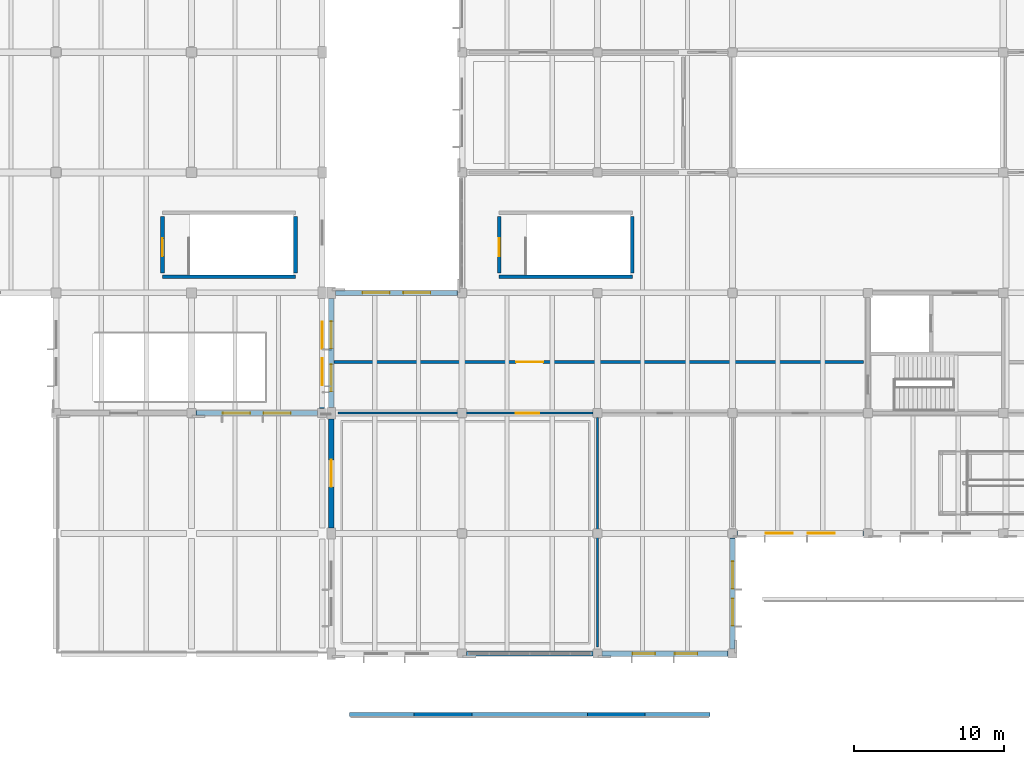
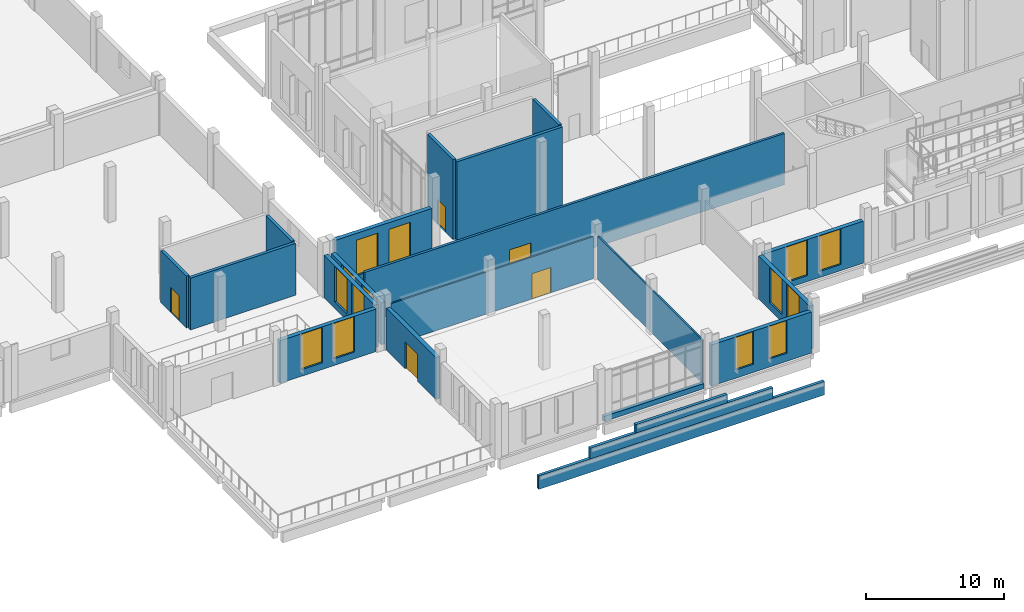
# One storey, part 77 of 110: 21 walls, 14 windows, 5 doors, 19 openings.
"""IFC4 building model written with IfcOpenShell, lengths in metres."""

from ifc_helpers import new_model, si_unit, direction, frame, frame_2d, origin, place, context, subcontext, project, spatial, rectangle, extrude, material, layer, layer_set, type_object, element, fill, save


model = new_model("IFC4")

# Units and contexts
model_context = context("Model", 3, precision=1e-05, world=origin(), true_north=direction((0.0, 1.0)))
body_context = subcontext(model_context, "Body", "Model", "MODEL_VIEW")
ifc_project = project(units=[si_unit("LENGTHUNIT", "METRE"), si_unit("AREAUNIT", "SQUARE_METRE"), si_unit("VOLUMEUNIT", "CUBIC_METRE"), si_unit("PLANEANGLEUNIT", "RADIAN"), si_unit("MASSUNIT", "GRAM", prefix="KILO")], contexts=[model_context])

# Site, building, storey
site_placement = place(None, origin())
site = spatial("IfcSite", under=ifc_project, at=site_placement, CompositionType="ELEMENT")
building_placement = place(site_placement, origin())
building = spatial("IfcBuilding", under=site, at=building_placement, Name="Zacnel Wholesale Market", CompositionType="ELEMENT")
storey_placement = place(building_placement, frame((0.0, 0.0, 6.300048828125)))
storey = spatial("IfcBuildingStorey", under=building, at=storey_placement, Name="L02", CompositionType="ELEMENT", Elevation=6.300048828125)

# Wall, opening, door
ifc_material_1 = material(Name="PIR insulated cold-store panel")
ifc_layer_1 = layer(ifc_material_1, 0.2099609375)
ifc_layer_set_1 = layer_set([ifc_layer_1], Name="PIR insulated cold-store panel")
wall_type_1 = type_object("IfcWallType", Name="WL-COLD-INT210", PredefinedType="STANDARD", material=ifc_layer_set_1)
wall_1_placement = place(storey_placement, frame((72.449951171875, 19.39990234375, 0.0), z_axis=(0.0, 0.0, 1.0), x_axis=(1.0, 0.0, 0.0)))
wall_1 = element("IfcWall", 1, at=wall_1_placement, inside=storey, type_object=wall_type_1, Name="Interior partition L02-0085", PredefinedType="STANDARD", context=body_context, shape_type="SweptSolid", body=[
    extrude(rectangle(XDim=35.25, YDim=0.2099609375, at=frame_2d((17.625, 0.0))), origin(), (0.0, 0.0, 1.0), 4.56005859375),
])
opening_1_placement = place(wall_1_placement, frame((12.14990234375, 0.0, 0.0)))
opening_1 = element("IfcOpeningElement", 2, at=opening_1_placement, cuts=wall_1, Name="Opening FD-03", PredefinedType="OPENING", context=body_context, shape_type="SweptSolid", body=[
    extrude(rectangle(XDim=1.800048828125, YDim=2.300048828125, at=frame_2d((0.89990234375, 1.14990234375))), frame((0.0, 0.114990234375, 0.0), z_axis=(0.0, -1.0, 0.0), x_axis=(1.0, 0.0, 0.0)), (0.0, 0.0, 1.0), 0.22998046875),
])
ifc_material_2 = material(Name="Galvanized steel", Category="steel")
door_type_1 = type_object("IfcDoorType", Name="DR-FIRE-COMP-1800", OperationType="NOTDEFINED", PredefinedType="DOOR", material=ifc_material_2)
door_1_placement = place(opening_1_placement, origin())
door_1 = element("IfcDoor", 3, at=door_1_placement, inside=storey, type_object=door_type_1, Name="Interior door L02-0067", OperationType="SINGLE_SWING_RIGHT", OverallHeight=2.300048828125, OverallWidth=1.800048828125, PredefinedType="DOOR", context=body_context, shape_type="SweptSolid", body=[
    extrude(rectangle(XDim=1.800048828125, YDim=2.300048828125, at=frame_2d((0.89990234375, 1.14990234375))), frame((0.0, 0.02490234375, 0.0), z_axis=(0.0, -1.0, 0.0), x_axis=(1.0, 0.0, 0.0)), (0.0, 0.0, 1.0), 0.050048828125),
])
fill(opening_1, door_1)

# Wall
ifc_material_3 = material(Name="Concrete C40/50", Category="concrete")
ifc_layer_2 = layer(ifc_material_3, 0.25)
ifc_layer_set_2 = layer_set([ifc_layer_2], Name="Concrete C40/50")
wall_type_2 = type_object("IfcWallType", Name="WL-CORE-SW250", PredefinedType="SOLIDWALL", material=ifc_layer_set_2)
wall_2_placement = place(storey_placement, frame((83.47509765625, 25.074951171875, 0.0), z_axis=(0.0, 0.0, 1.0), x_axis=(1.0, 0.0, 0.0)))
element("IfcWall", 4, at=wall_2_placement, inside=storey, type_object=wall_type_2, Name="Stair ST-18 south enclosure wall L02", PredefinedType="SOLIDWALL", context=body_context, shape_type="SweptSolid", body=[
    extrude(rectangle(XDim=8.849853515625, YDim=0.25, at=frame_2d((4.4248046875, 0.0))), origin(), (0.0, 0.0, 1.0), 7.08984375),
])

# Wall, opening, door
wall_3_placement = place(storey_placement, frame((83.47509765625, 25.324951171875, 0.0), z_axis=(0.0, 0.0, 1.0), x_axis=(0.0, 1.0, 0.0)))
wall_3 = element("IfcWall", 5, at=wall_3_placement, inside=storey, type_object=wall_type_2, Name="Stair ST-18 west enclosure wall L02", PredefinedType="SOLIDWALL", context=body_context, shape_type="SweptSolid", body=[
    extrude(rectangle(XDim=3.75, YDim=0.25, at=frame_2d((1.875, 0.0))), origin(), (0.0, 0.0, 1.0), 7.08984375),
])
opening_2_placement = place(wall_3_placement, frame((1.10009765625, 0.0, 0.0)))
opening_2 = element("IfcOpeningElement", 6, at=opening_2_placement, cuts=wall_3, Name="Opening FD-01", PredefinedType="OPENING", context=body_context, shape_type="SweptSolid", body=[
    extrude(rectangle(XDim=1.199951171875, YDim=2.199951171875, at=frame_2d((0.60009765625, 1.10009765625))), frame((0.0, 0.135009765625, 0.0), z_axis=(0.0, -1.0, 0.0), x_axis=(1.0, 0.0, 0.0)), (0.0, 0.0, 1.0), 0.27001953125),
])
ifc_material_4 = material(Name="Galvanized steel", Category="steel")
door_type_2 = type_object("IfcDoorType", Name="DR-FIRE-STAIR-1200", OperationType="NOTDEFINED", PredefinedType="DOOR", material=ifc_material_4)
door_2_placement = place(opening_2_placement, origin())
door_2 = element("IfcDoor", 7, at=door_2_placement, inside=storey, type_object=door_type_2, Name="Stair ST-18 fire door L02", OperationType="SINGLE_SWING_LEFT", OverallHeight=2.199951171875, OverallWidth=1.199951171875, PredefinedType="DOOR", context=body_context, shape_type="SweptSolid", body=[
    extrude(rectangle(XDim=1.199951171875, YDim=2.199951171875, at=frame_2d((0.60009765625, 1.10009765625))), frame((0.0, 0.02490234375, 0.0), z_axis=(0.0, -1.0, 0.0), x_axis=(1.0, 0.0, 0.0)), (0.0, 0.0, 1.0), 0.050048828125),
])
fill(opening_2, door_2)

# Walls
wall_4_placement = place(storey_placement, frame((92.324951171875, 25.324951171875, 0.0), z_axis=(0.0, 0.0, 1.0), x_axis=(0.0, 1.0, 0.0)))
element("IfcWall", 8, at=wall_4_placement, inside=storey, type_object=wall_type_2, Name="Stair ST-18 east enclosure wall L02", PredefinedType="SOLIDWALL", context=body_context, shape_type="SweptSolid", body=[
    extrude(rectangle(XDim=3.75, YDim=0.25, at=frame_2d((1.875, 0.0))), origin(), (0.0, 0.0, 1.0), 7.08984375),
])
wall_5_placement = place(storey_placement, frame((61.074951171875, 25.074951171875, 0.0), z_axis=(0.0, 0.0, 1.0), x_axis=(1.0, 0.0, 0.0)))
element("IfcWall", 9, at=wall_5_placement, inside=storey, type_object=wall_type_2, Name="Stair ST-23 south enclosure wall L02", PredefinedType="SOLIDWALL", context=body_context, shape_type="SweptSolid", body=[
    extrude(rectangle(XDim=8.85009765625, YDim=0.25, at=frame_2d((4.425048828125, 0.0))), origin(), (0.0, 0.0, 1.0), 4.599853515625),
])

# Wall, opening, door
wall_6_placement = place(storey_placement, frame((61.074951171875, 25.324951171875, 0.0), z_axis=(0.0, 0.0, 1.0), x_axis=(0.0, 1.0, 0.0)))
wall_6 = element("IfcWall", 10, at=wall_6_placement, inside=storey, type_object=wall_type_2, Name="Stair ST-23 west enclosure wall L02", PredefinedType="SOLIDWALL", context=body_context, shape_type="SweptSolid", body=[
    extrude(rectangle(XDim=3.75, YDim=0.25, at=frame_2d((1.875, 0.0))), origin(), (0.0, 0.0, 1.0), 4.599853515625),
])
opening_3_placement = place(wall_6_placement, frame((1.10009765625, 0.0, 0.0)))
opening_3 = element("IfcOpeningElement", 11, at=opening_3_placement, cuts=wall_6, Name="Opening FD-01", PredefinedType="OPENING", context=body_context, shape_type="SweptSolid", body=[
    extrude(rectangle(XDim=1.199951171875, YDim=2.199951171875, at=frame_2d((0.60009765625, 1.10009765625))), frame((0.0, 0.135009765625, 0.0), z_axis=(0.0, -1.0, 0.0), x_axis=(1.0, 0.0, 0.0)), (0.0, 0.0, 1.0), 0.27001953125),
])
door_3_placement = place(opening_3_placement, origin())
door_3 = element("IfcDoor", 12, at=door_3_placement, inside=storey, type_object=door_type_2, Name="Stair ST-23 fire door L02", OperationType="SINGLE_SWING_RIGHT", OverallHeight=2.199951171875, OverallWidth=1.199951171875, PredefinedType="DOOR", context=body_context, shape_type="SweptSolid", body=[
    extrude(rectangle(XDim=1.199951171875, YDim=2.199951171875, at=frame_2d((0.60009765625, 1.10009765625))), frame((0.0, 0.02490234375, 0.0), z_axis=(0.0, -1.0, 0.0), x_axis=(1.0, 0.0, 0.0)), (0.0, 0.0, 1.0), 0.050048828125),
])
fill(opening_3, door_3)

# Walls
wall_7_placement = place(storey_placement, frame((69.925048828125, 25.324951171875, 0.0), z_axis=(0.0, 0.0, 1.0), x_axis=(0.0, 1.0, 0.0)))
element("IfcWall", 13, at=wall_7_placement, inside=storey, type_object=wall_type_2, Name="Stair ST-23 east enclosure wall L02", PredefinedType="SOLIDWALL", context=body_context, shape_type="SweptSolid", body=[
    extrude(rectangle(XDim=3.75, YDim=0.25, at=frame_2d((1.875, 0.0))), origin(), (0.0, 0.0, 1.0), 4.599853515625),
])
ifc_material_5 = material(Name="Precast concrete C40/50 (Cancun limestone aggregate)", Category="masonry")
ifc_layer_3 = layer(ifc_material_5, 0.300048828125)
ifc_layer_set_3 = layer_set([ifc_layer_3], Name="Precast concrete C40/50 (Cancun limestone aggregate)")
wall_type_3 = type_object("IfcWallType", Name="WL-EXT-LIME-300", PredefinedType="SOLIDWALL", material=ifc_layer_set_3)
wall_8_placement = place(storey_placement, frame((81.300048828125, 0.0, 0.0), z_axis=(0.0, 0.0, 1.0), x_axis=(1.0, 0.0, 0.0)))
element("IfcWall", 14, at=wall_8_placement, inside=storey, type_object=wall_type_3, Name="Curtain-wall limestone plinth L02-0009", PredefinedType="SOLIDWALL", context=body_context, shape_type="SweptSolid", body=[
    extrude(rectangle(XDim=8.39990234375, YDim=0.300048828125, at=frame_2d((4.199951171875, 0.0))), origin(), (0.0, 0.0, 1.0), 0.449951171875),
])

# Wall, openings, windows
ifc_material_6 = material(Name="Precast concrete C40/50 (Cancun limestone aggregate)", Category="masonry")
ifc_layer_4 = layer(ifc_material_6, 0.340087890625)
ifc_layer_set_4 = layer_set([ifc_layer_4], Name="Precast concrete C40/50 (Cancun limestone aggregate)")
wall_type_4 = type_object("IfcWallType", Name="WL-EXT-LIME-340", PredefinedType="SOLIDWALL", material=ifc_layer_set_4)
wall_9_placement = place(storey_placement, frame((63.300048828125, 16.0, 0.0), z_axis=(0.0, 0.0, 1.0), x_axis=(1.0, 0.0, 0.0)))
wall_9 = element("IfcWall", 15, at=wall_9_placement, inside=storey, type_object=wall_type_4, Name="Exterior wall L02-0235", PredefinedType="SOLIDWALL", context=body_context, shape_type="SweptSolid", body=[
    extrude(rectangle(XDim=8.099853515625, YDim=0.340087890625, at=frame_2d((4.0498046875, 0.0))), origin(), (0.0, 0.0, 1.0), 3.780029296875),
])
opening_4_placement = place(wall_9_placement, frame((1.800048828125, 0.0, 0.590087890625)))
opening_4 = element("IfcOpeningElement", 16, at=opening_4_placement, cuts=wall_9, Name="Opening W-03", PredefinedType="OPENING", context=body_context, shape_type="SweptSolid", body=[
    extrude(rectangle(XDim=1.800048828125, YDim=3.14990234375, at=frame_2d((0.89990234375, 1.574951171875))), frame((0.0, 0.179931640625, 0.0), z_axis=(0.0, -1.0, 0.0), x_axis=(1.0, 0.0, 0.0)), (0.0, 0.0, 1.0), 0.360107421875),
])
opening_5_placement = place(wall_9_placement, frame((4.5, 0.0, 0.590087890625)))
opening_5 = element("IfcOpeningElement", 17, at=opening_5_placement, cuts=wall_9, Name="Opening W-03", PredefinedType="OPENING", context=body_context, shape_type="SweptSolid", body=[
    extrude(rectangle(XDim=1.800048828125, YDim=3.14990234375, at=frame_2d((0.89990234375, 1.574951171875))), frame((0.0, 0.179931640625, 0.0), z_axis=(0.0, -1.0, 0.0), x_axis=(1.0, 0.0, 0.0)), (0.0, 0.0, 1.0), 0.360107421875),
])
ifc_material_7 = material(Name="Laminated hurricane-impact low-E insulated glass", Category="glass")
window_type_1 = type_object("IfcWindowType", Name="WIN-DEC-1800X3150", PartitioningType="DOUBLE_PANEL_VERTICAL", PredefinedType="WINDOW", material=ifc_material_7)
window_1_placement = place(opening_4_placement, origin())
window_1 = element("IfcWindow", 18, at=window_1_placement, inside=storey, type_object=window_type_1, Name="Window L02-0207", OverallHeight=3.14990234375, OverallWidth=1.800048828125, PartitioningType="DOUBLE_PANEL_VERTICAL", PredefinedType="WINDOW", context=body_context, shape_type="SweptSolid", body=[
    extrude(rectangle(XDim=1.800048828125, YDim=3.14990234375, at=frame_2d((0.89990234375, 1.574951171875))), frame((0.0, 0.030029296875, 0.0), z_axis=(0.0, -1.0, 0.0), x_axis=(1.0, 0.0, 0.0)), (0.0, 0.0, 1.0), 0.06005859375),
])
fill(opening_4, window_1)
window_2_placement = place(opening_5_placement, origin())
window_2 = element("IfcWindow", 19, at=window_2_placement, inside=storey, type_object=window_type_1, Name="Window L02-0208", OverallHeight=3.14990234375, OverallWidth=1.800048828125, PartitioningType="DOUBLE_PANEL_VERTICAL", PredefinedType="WINDOW", context=body_context, shape_type="SweptSolid", body=[
    extrude(rectangle(XDim=1.800048828125, YDim=3.14990234375, at=frame_2d((0.89990234375, 1.574951171875))), frame((0.0, 0.030029296875, 0.0), z_axis=(0.0, -1.0, 0.0), x_axis=(1.0, 0.0, 0.0)), (0.0, 0.0, 1.0), 0.06005859375),
])
fill(opening_5, window_2)

wall_10_placement = place(storey_placement, frame((71.699951171875, 16.300048828125, 0.0), z_axis=(0.0, 0.0, 1.0), x_axis=(0.0, 1.0, 0.0)))
wall_10 = element("IfcWall", 20, at=wall_10_placement, inside=storey, type_object=wall_type_4, Name="Exterior wall L02-0237", PredefinedType="SOLIDWALL", context=body_context, shape_type="SweptSolid", body=[
    extrude(rectangle(XDim=7.324951171875, YDim=0.340087890625, at=frame_2d((3.66259765625, 0.0))), origin(), (0.0, 0.0, 1.0), 3.780029296875),
])
opening_6_placement = place(wall_10_placement, frame((1.5419921875, 0.0, 0.590087890625)))
opening_6 = element("IfcOpeningElement", 21, at=opening_6_placement, cuts=wall_10, Name="Opening W-03", PredefinedType="OPENING", context=body_context, shape_type="SweptSolid", body=[
    extrude(rectangle(XDim=1.800048828125, YDim=3.14990234375, at=frame_2d((0.89990234375, 1.574951171875))), frame((0.0, 0.179931640625, 0.0), z_axis=(0.0, -1.0, 0.0), x_axis=(1.0, 0.0, 0.0)), (0.0, 0.0, 1.0), 0.360107421875),
])
opening_7_placement = place(wall_10_placement, frame((3.98291015625, 0.0, 0.590087890625)))
opening_7 = element("IfcOpeningElement", 22, at=opening_7_placement, cuts=wall_10, Name="Opening W-03", PredefinedType="OPENING", context=body_context, shape_type="SweptSolid", body=[
    extrude(rectangle(XDim=1.800048828125, YDim=3.14990234375, at=frame_2d((0.89990234375, 1.574951171875))), frame((0.0, 0.179931640625, 0.0), z_axis=(0.0, -1.0, 0.0), x_axis=(1.0, 0.0, 0.0)), (0.0, 0.0, 1.0), 0.360107421875),
])
window_3_placement = place(opening_6_placement, origin())
window_3 = element("IfcWindow", 23, at=window_3_placement, inside=storey, type_object=window_type_1, Name="Window L02-0211", OverallHeight=3.14990234375, OverallWidth=1.800048828125, PartitioningType="DOUBLE_PANEL_VERTICAL", PredefinedType="WINDOW", context=body_context, shape_type="SweptSolid", body=[
    extrude(rectangle(XDim=1.800048828125, YDim=3.14990234375, at=frame_2d((0.89990234375, 1.574951171875))), frame((0.0, 0.030029296875, 0.0), z_axis=(0.0, -1.0, 0.0), x_axis=(1.0, 0.0, 0.0)), (0.0, 0.0, 1.0), 0.06005859375),
])
fill(opening_6, window_3)
window_4_placement = place(opening_7_placement, origin())
window_4 = element("IfcWindow", 24, at=window_4_placement, inside=storey, type_object=window_type_1, Name="Window L02-0212", OverallHeight=3.14990234375, OverallWidth=1.800048828125, PartitioningType="DOUBLE_PANEL_VERTICAL", PredefinedType="WINDOW", context=body_context, shape_type="SweptSolid", body=[
    extrude(rectangle(XDim=1.800048828125, YDim=3.14990234375, at=frame_2d((0.89990234375, 1.574951171875))), frame((0.0, 0.030029296875, 0.0), z_axis=(0.0, -1.0, 0.0), x_axis=(1.0, 0.0, 0.0)), (0.0, 0.0, 1.0), 0.06005859375),
])
fill(opening_7, window_4)

wall_11_placement = place(storey_placement, frame((90.300048828125, 0.0, 0.0), z_axis=(0.0, 0.0, 1.0), x_axis=(1.0, 0.0, 0.0)))
wall_11 = element("IfcWall", 25, at=wall_11_placement, inside=storey, type_object=wall_type_4, Name="Exterior wall L02-0239", PredefinedType="SOLIDWALL", context=body_context, shape_type="SweptSolid", body=[
    extrude(rectangle(XDim=8.39990234375, YDim=0.340087890625, at=frame_2d((4.199951171875, 0.0))), origin(), (0.0, 0.0, 1.0), 3.659912109375),
])
opening_8_placement = place(wall_11_placement, frame((2.050048828125, 0.0, 0.719970703125)))
opening_8 = element("IfcOpeningElement", 26, at=opening_8_placement, cuts=wall_11, Name="Opening W-04", PredefinedType="OPENING", context=body_context, shape_type="SweptSolid", body=[
    extrude(rectangle(XDim=1.5, YDim=2.89990234375, at=frame_2d((0.75, 1.449951171875))), frame((0.0, 0.179931640625, 0.0), z_axis=(0.0, -1.0, 0.0), x_axis=(1.0, 0.0, 0.0)), (0.0, 0.0, 1.0), 0.360107421875),
])
opening_9_placement = place(wall_11_placement, frame((4.85009765625, 0.0, 0.719970703125)))
opening_9 = element("IfcOpeningElement", 27, at=opening_9_placement, cuts=wall_11, Name="Opening W-04", PredefinedType="OPENING", context=body_context, shape_type="SweptSolid", body=[
    extrude(rectangle(XDim=1.5, YDim=2.89990234375, at=frame_2d((0.75, 1.449951171875))), frame((0.0, 0.179931640625, 0.0), z_axis=(0.0, -1.0, 0.0), x_axis=(1.0, 0.0, 0.0)), (0.0, 0.0, 1.0), 0.360107421875),
])
ifc_material_8 = material(Name="Laminated hurricane-impact low-E insulated glass", Category="glass")
window_type_2 = type_object("IfcWindowType", Name="WIN-DEC-1500X2900", PartitioningType="DOUBLE_PANEL_VERTICAL", PredefinedType="WINDOW", material=ifc_material_8)
window_5_placement = place(opening_8_placement, origin())
window_5 = element("IfcWindow", 28, at=window_5_placement, inside=storey, type_object=window_type_2, Name="Window L02-0215", OverallHeight=2.89990234375, OverallWidth=1.5, PartitioningType="DOUBLE_PANEL_VERTICAL", PredefinedType="WINDOW", context=body_context, shape_type="SweptSolid", body=[
    extrude(rectangle(XDim=1.5, YDim=2.89990234375, at=frame_2d((0.75, 1.449951171875))), frame((0.0, 0.030029296875, 0.0), z_axis=(0.0, -1.0, 0.0), x_axis=(1.0, 0.0, 0.0)), (0.0, 0.0, 1.0), 0.06005859375),
])
fill(opening_8, window_5)
window_6_placement = place(opening_9_placement, origin())
window_6 = element("IfcWindow", 29, at=window_6_placement, inside=storey, type_object=window_type_2, Name="Window L02-0216", OverallHeight=2.89990234375, OverallWidth=1.5, PartitioningType="DOUBLE_PANEL_VERTICAL", PredefinedType="WINDOW", context=body_context, shape_type="SweptSolid", body=[
    extrude(rectangle(XDim=1.5, YDim=2.89990234375, at=frame_2d((0.75, 1.449951171875))), frame((0.0, 0.030029296875, 0.0), z_axis=(0.0, -1.0, 0.0), x_axis=(1.0, 0.0, 0.0)), (0.0, 0.0, 1.0), 0.06005859375),
])
fill(opening_9, window_6)

wall_12_placement = place(storey_placement, frame((72.574951171875, 24.0, 0.0), z_axis=(0.0, 0.0, 1.0), x_axis=(1.0, 0.0, 0.0)))
wall_12 = element("IfcWall", 30, at=wall_12_placement, inside=storey, type_object=wall_type_4, Name="Exterior wall L02-0240", PredefinedType="SOLIDWALL", context=body_context, shape_type="SweptSolid", body=[
    extrude(rectangle(XDim=8.125, YDim=0.340087890625, at=frame_2d((4.0625, 0.0))), origin(), (0.0, 0.0, 1.0), 4.599853515625),
])
opening_10_placement = place(wall_12_placement, frame((1.80810546875, 0.0, 0.85009765625)))
opening_10 = element("IfcOpeningElement", 31, at=opening_10_placement, cuts=wall_12, Name="Opening W-03", PredefinedType="OPENING", context=body_context, shape_type="SweptSolid", body=[
    extrude(rectangle(XDim=1.800048828125, YDim=3.14990234375, at=frame_2d((0.89990234375, 1.574951171875))), frame((0.0, 0.179931640625, 0.0), z_axis=(0.0, -1.0, 0.0), x_axis=(1.0, 0.0, 0.0)), (0.0, 0.0, 1.0), 0.360107421875),
])
opening_11_placement = place(wall_12_placement, frame((4.51708984375, 0.0, 0.85009765625)))
opening_11 = element("IfcOpeningElement", 32, at=opening_11_placement, cuts=wall_12, Name="Opening W-03", PredefinedType="OPENING", context=body_context, shape_type="SweptSolid", body=[
    extrude(rectangle(XDim=1.800048828125, YDim=3.14990234375, at=frame_2d((0.89990234375, 1.574951171875))), frame((0.0, 0.179931640625, 0.0), z_axis=(0.0, -1.0, 0.0), x_axis=(1.0, 0.0, 0.0)), (0.0, 0.0, 1.0), 0.360107421875),
])
window_7_placement = place(opening_10_placement, origin())
window_7 = element("IfcWindow", 33, at=window_7_placement, inside=storey, type_object=window_type_1, Name="Window L02-0217", OverallHeight=3.14990234375, OverallWidth=1.800048828125, PartitioningType="DOUBLE_PANEL_VERTICAL", PredefinedType="WINDOW", context=body_context, shape_type="SweptSolid", body=[
    extrude(rectangle(XDim=1.800048828125, YDim=3.14990234375, at=frame_2d((0.89990234375, 1.574951171875))), frame((0.0, 0.030029296875, 0.0), z_axis=(0.0, -1.0, 0.0), x_axis=(1.0, 0.0, 0.0)), (0.0, 0.0, 1.0), 0.06005859375),
])
fill(opening_10, window_7)
window_8_placement = place(opening_11_placement, origin())
window_8 = element("IfcWindow", 34, at=window_8_placement, inside=storey, type_object=window_type_1, Name="Window L02-0218", OverallHeight=3.14990234375, OverallWidth=1.800048828125, PartitioningType="DOUBLE_PANEL_VERTICAL", PredefinedType="WINDOW", context=body_context, shape_type="SweptSolid", body=[
    extrude(rectangle(XDim=1.800048828125, YDim=3.14990234375, at=frame_2d((0.89990234375, 1.574951171875))), frame((0.0, 0.030029296875, 0.0), z_axis=(0.0, -1.0, 0.0), x_axis=(1.0, 0.0, 0.0)), (0.0, 0.0, 1.0), 0.06005859375),
])
fill(opening_11, window_8)

# Wall, opening, door
wall_13_placement = place(storey_placement, frame((72.300048828125, 8.375, 0.0), z_axis=(0.0, 0.0, 1.0), x_axis=(0.0, 1.0, 0.0)))
wall_13 = element("IfcWall", 35, at=wall_13_placement, inside=storey, type_object=wall_type_4, Name="Exterior wall L02-0242", PredefinedType="SOLIDWALL", context=body_context, shape_type="SweptSolid", body=[
    extrude(rectangle(XDim=7.25, YDim=0.340087890625, at=frame_2d((3.625, 0.0))), origin(), (0.0, 0.0, 1.0), 3.72998046875),
])
opening_12_placement = place(wall_13_placement, frame((2.72509765625, 0.0, 0.0)))
opening_12 = element("IfcOpeningElement", 36, at=opening_12_placement, cuts=wall_13, Name="Opening ED-03", PredefinedType="OPENING", context=body_context, shape_type="SweptSolid", body=[
    extrude(rectangle(XDim=1.800048828125, YDim=2.39990234375, at=frame_2d((0.89990234375, 1.199951171875))), frame((0.0, 0.179931640625, 0.0), z_axis=(0.0, -1.0, 0.0), x_axis=(1.0, 0.0, 0.0)), (0.0, 0.0, 1.0), 0.360107421875),
])
ifc_material_9 = material(Name="Anodised aluminium", Category="aluminium")
door_type_3 = type_object("IfcDoorType", Name="DR-EXT-TERR-1800", OperationType="NOTDEFINED", PredefinedType="DOOR", material=ifc_material_9)
door_4_placement = place(opening_12_placement, origin())
door_4 = element("IfcDoor", 37, at=door_4_placement, inside=storey, type_object=door_type_3, Name="Terrace access door L02-052", OperationType="DOUBLE_DOOR_SINGLE_SWING", OverallHeight=2.39990234375, OverallWidth=1.800048828125, PredefinedType="DOOR", context=body_context, shape_type="SweptSolid", body=[
    extrude(rectangle(XDim=1.800048828125, YDim=2.39990234375, at=frame_2d((0.89990234375, 1.199951171875))), frame((0.0, 0.02490234375, 0.0), z_axis=(0.0, -1.0, 0.0), x_axis=(1.0, 0.0, 0.0)), (0.0, 0.0, 1.0), 0.050048828125),
])
fill(opening_12, door_4)

# Wall, openings, windows
wall_14_placement = place(storey_placement, frame((72.300048828125, 16.375, 0.0), z_axis=(0.0, 0.0, 1.0), x_axis=(0.0, 1.0, 0.0)))
wall_14 = element("IfcWall", 38, at=wall_14_placement, inside=storey, type_object=wall_type_4, Name="Exterior wall L02-0243", PredefinedType="SOLIDWALL", context=body_context, shape_type="SweptSolid", body=[
    extrude(rectangle(XDim=7.25, YDim=0.340087890625, at=frame_2d((3.625, 0.0))), origin(), (0.0, 0.0, 1.0), 3.72998046875),
])
opening_13_placement = place(wall_14_placement, frame((1.069091796875, 0.0, 0.5400390625)))
opening_13 = element("IfcOpeningElement", 39, at=opening_13_placement, cuts=wall_14, Name="Opening W-03", PredefinedType="OPENING", context=body_context, shape_type="SweptSolid", body=[
    extrude(rectangle(XDim=1.800048828125, YDim=3.14990234375, at=frame_2d((0.89990234375, 1.574951171875))), frame((0.0, 0.179931640625, 0.0), z_axis=(0.0, -1.0, 0.0), x_axis=(1.0, 0.0, 0.0)), (0.0, 0.0, 1.0), 0.360107421875),
])
opening_14_placement = place(wall_14_placement, frame((3.93310546875, 0.0, 0.5400390625)))
opening_14 = element("IfcOpeningElement", 40, at=opening_14_placement, cuts=wall_14, Name="Opening W-03", PredefinedType="OPENING", context=body_context, shape_type="SweptSolid", body=[
    extrude(rectangle(XDim=1.800048828125, YDim=3.14990234375, at=frame_2d((0.89990234375, 1.574951171875))), frame((0.0, 0.179931640625, 0.0), z_axis=(0.0, -1.0, 0.0), x_axis=(1.0, 0.0, 0.0)), (0.0, 0.0, 1.0), 0.360107421875),
])
window_9_placement = place(opening_13_placement, origin())
window_9 = element("IfcWindow", 41, at=window_9_placement, inside=storey, type_object=window_type_1, Name="Window L02-0221", OverallHeight=3.14990234375, OverallWidth=1.800048828125, PartitioningType="DOUBLE_PANEL_VERTICAL", PredefinedType="WINDOW", context=body_context, shape_type="SweptSolid", body=[
    extrude(rectangle(XDim=1.800048828125, YDim=3.14990234375, at=frame_2d((0.89990234375, 1.574951171875))), frame((0.0, 0.030029296875, 0.0), z_axis=(0.0, -1.0, 0.0), x_axis=(1.0, 0.0, 0.0)), (0.0, 0.0, 1.0), 0.06005859375),
])
fill(opening_13, window_9)
window_10_placement = place(opening_14_placement, origin())
window_10 = element("IfcWindow", 42, at=window_10_placement, inside=storey, type_object=window_type_1, Name="Window L02-0222", OverallHeight=3.14990234375, OverallWidth=1.800048828125, PartitioningType="DOUBLE_PANEL_VERTICAL", PredefinedType="WINDOW", context=body_context, shape_type="SweptSolid", body=[
    extrude(rectangle(XDim=1.800048828125, YDim=3.14990234375, at=frame_2d((0.89990234375, 1.574951171875))), frame((0.0, 0.030029296875, 0.0), z_axis=(0.0, -1.0, 0.0), x_axis=(1.0, 0.0, 0.0)), (0.0, 0.0, 1.0), 0.06005859375),
])
fill(opening_14, window_10)

wall_15_placement = place(storey_placement, frame((99.0, 0.300048828125, 0.0), z_axis=(0.0, 0.0, 1.0), x_axis=(0.0, 1.0, 0.0)))
wall_15 = element("IfcWall", 43, at=wall_15_placement, inside=storey, type_object=wall_type_4, Name="Exterior wall L02-0244", PredefinedType="SOLIDWALL", context=body_context, shape_type="SweptSolid", body=[
    extrude(rectangle(XDim=7.39990234375, YDim=0.340087890625, at=frame_2d((3.699951171875, 0.0))), origin(), (0.0, 0.0, 1.0), 3.829833984375),
])
opening_15_placement = place(wall_15_placement, frame((1.56689453125, 0.0, 0.639892578125)))
opening_15 = element("IfcOpeningElement", 44, at=opening_15_placement, cuts=wall_15, Name="Opening W-03", PredefinedType="OPENING", context=body_context, shape_type="SweptSolid", body=[
    extrude(rectangle(XDim=1.800048828125, YDim=3.14990234375, at=frame_2d((0.89990234375, 1.574951171875))), frame((0.0, 0.179931640625, 0.0), z_axis=(0.0, -1.0, 0.0), x_axis=(1.0, 0.0, 0.0)), (0.0, 0.0, 1.0), 0.360107421875),
])
opening_16_placement = place(wall_15_placement, frame((4.032958984375, 0.0, 0.639892578125)))
opening_16 = element("IfcOpeningElement", 45, at=opening_16_placement, cuts=wall_15, Name="Opening W-03", PredefinedType="OPENING", context=body_context, shape_type="SweptSolid", body=[
    extrude(rectangle(XDim=1.800048828125, YDim=3.14990234375, at=frame_2d((0.89990234375, 1.574951171875))), frame((0.0, 0.179931640625, 0.0), z_axis=(0.0, -1.0, 0.0), x_axis=(1.0, 0.0, 0.0)), (0.0, 0.0, 1.0), 0.360107421875),
])
window_11_placement = place(opening_15_placement, origin())
window_11 = element("IfcWindow", 46, at=window_11_placement, inside=storey, type_object=window_type_1, Name="Window L02-0223", OverallHeight=3.14990234375, OverallWidth=1.800048828125, PartitioningType="DOUBLE_PANEL_VERTICAL", PredefinedType="WINDOW", context=body_context, shape_type="SweptSolid", body=[
    extrude(rectangle(XDim=1.800048828125, YDim=3.14990234375, at=frame_2d((0.89990234375, 1.574951171875))), frame((0.0, 0.030029296875, 0.0), z_axis=(0.0, -1.0, 0.0), x_axis=(1.0, 0.0, 0.0)), (0.0, 0.0, 1.0), 0.06005859375),
])
fill(opening_15, window_11)
window_12_placement = place(opening_16_placement, origin())
window_12 = element("IfcWindow", 47, at=window_12_placement, inside=storey, type_object=window_type_1, Name="Window L02-0224", OverallHeight=3.14990234375, OverallWidth=1.800048828125, PartitioningType="DOUBLE_PANEL_VERTICAL", PredefinedType="WINDOW", context=body_context, shape_type="SweptSolid", body=[
    extrude(rectangle(XDim=1.800048828125, YDim=3.14990234375, at=frame_2d((0.89990234375, 1.574951171875))), frame((0.0, 0.030029296875, 0.0), z_axis=(0.0, -1.0, 0.0), x_axis=(1.0, 0.0, 0.0)), (0.0, 0.0, 1.0), 0.06005859375),
])
fill(opening_16, window_12)

wall_16_placement = place(storey_placement, frame((99.300048828125, 8.0, 0.0), z_axis=(0.0, 0.0, 1.0), x_axis=(1.0, 0.0, 0.0)))
wall_16 = element("IfcWall", 48, at=wall_16_placement, inside=storey, type_object=wall_type_4, Name="Exterior wall L02-0245", PredefinedType="SOLIDWALL", context=body_context, shape_type="SweptSolid", body=[
    extrude(rectangle(XDim=8.39990234375, YDim=0.340087890625, at=frame_2d((4.199951171875, 0.0))), origin(), (0.0, 0.0, 1.0), 3.72998046875),
])
opening_17_placement = place(wall_16_placement, frame((1.89990234375, 0.0, 0.5400390625)))
opening_17 = element("IfcOpeningElement", 49, at=opening_17_placement, cuts=wall_16, Name="Opening W-03", PredefinedType="OPENING", context=body_context, shape_type="SweptSolid", body=[
    extrude(rectangle(XDim=1.800048828125, YDim=3.14990234375, at=frame_2d((0.89990234375, 1.574951171875))), frame((0.0, 0.179931640625, 0.0), z_axis=(0.0, -1.0, 0.0), x_axis=(1.0, 0.0, 0.0)), (0.0, 0.0, 1.0), 0.360107421875),
])
opening_18_placement = place(wall_16_placement, frame((4.699951171875, 0.0, 0.5400390625)))
opening_18 = element("IfcOpeningElement", 50, at=opening_18_placement, cuts=wall_16, Name="Opening W-03", PredefinedType="OPENING", context=body_context, shape_type="SweptSolid", body=[
    extrude(rectangle(XDim=1.800048828125, YDim=3.14990234375, at=frame_2d((0.89990234375, 1.574951171875))), frame((0.0, 0.179931640625, 0.0), z_axis=(0.0, -1.0, 0.0), x_axis=(1.0, 0.0, 0.0)), (0.0, 0.0, 1.0), 0.360107421875),
])
window_13_placement = place(opening_17_placement, origin())
window_13 = element("IfcWindow", 51, at=window_13_placement, inside=storey, type_object=window_type_1, Name="Window L02-0225", OverallHeight=3.14990234375, OverallWidth=1.800048828125, PartitioningType="DOUBLE_PANEL_VERTICAL", PredefinedType="WINDOW", context=body_context, shape_type="SweptSolid", body=[
    extrude(rectangle(XDim=1.800048828125, YDim=3.14990234375, at=frame_2d((0.89990234375, 1.574951171875))), frame((0.0, 0.030029296875, 0.0), z_axis=(0.0, -1.0, 0.0), x_axis=(1.0, 0.0, 0.0)), (0.0, 0.0, 1.0), 0.06005859375),
])
fill(opening_17, window_13)
window_14_placement = place(opening_18_placement, origin())
window_14 = element("IfcWindow", 52, at=window_14_placement, inside=storey, type_object=window_type_1, Name="Window L02-0226", OverallHeight=3.14990234375, OverallWidth=1.800048828125, PartitioningType="DOUBLE_PANEL_VERTICAL", PredefinedType="WINDOW", context=body_context, shape_type="SweptSolid", body=[
    extrude(rectangle(XDim=1.800048828125, YDim=3.14990234375, at=frame_2d((0.89990234375, 1.574951171875))), frame((0.0, 0.030029296875, 0.0), z_axis=(0.0, -1.0, 0.0), x_axis=(1.0, 0.0, 0.0)), (0.0, 0.0, 1.0), 0.06005859375),
])
fill(opening_18, window_14)

# Walls
ifc_material_10 = material(Name="Precast concrete C40/50 (Cancun limestone aggregate)", Category="masonry")
ifc_layer_5 = layer(ifc_material_10, 0.25)
ifc_layer_set_5 = layer_set([ifc_layer_5], Name="Precast concrete C40/50 (Cancun limestone aggregate)")
wall_type_5 = type_object("IfcWallType", Name="WL-PAR-ZIG-250", PredefinedType="PARAPET", material=ifc_layer_set_5)
wall_17_placement = place(storey_placement, frame((73.5, -4.050048828125, -0.85009765625), z_axis=(0.0, 0.0, 1.0), x_axis=(1.0, 0.0, 0.0)))
element("IfcWall", 53, at=wall_17_placement, inside=storey, type_object=wall_type_5, Name="Mayan-Art-Deco stepped portal crown ENV-CRN-V4CAN-1", PredefinedType="PARAPET", context=body_context, shape_type="SweptSolid", body=[
    extrude(rectangle(XDim=24.0, YDim=0.25, at=frame_2d((12.0, 0.0))), origin(), (0.0, 0.0, 1.0), 1.199951171875),
])
wall_18_placement = place(storey_placement, frame((77.820068359375, -4.050048828125, 0.349853515625), z_axis=(0.0, 0.0, 1.0), x_axis=(1.0, 0.0, 0.0)))
element("IfcWall", 54, at=wall_18_placement, inside=storey, type_object=wall_type_5, Name="Mayan-Art-Deco stepped portal crown ENV-CRN-V4CAN-2", PredefinedType="PARAPET", context=body_context, shape_type="SweptSolid", body=[
    extrude(rectangle(XDim=15.35986328125, YDim=0.25, at=frame_2d((7.679931640625, 0.0))), origin(), (0.0, 0.0, 1.0), 0.9501953125),
])
wall_19_placement = place(storey_placement, frame((81.659912109375, -4.050048828125, 1.300048828125), z_axis=(0.0, 0.0, 1.0), x_axis=(1.0, 0.0, 0.0)))
element("IfcWall", 55, at=wall_19_placement, inside=storey, type_object=wall_type_5, Name="Mayan-Art-Deco stepped portal crown ENV-CRN-V4CAN-3", PredefinedType="PARAPET", context=body_context, shape_type="SweptSolid", body=[
    extrude(rectangle(XDim=7.68017578125, YDim=0.25, at=frame_2d((3.840087890625, 0.0))), origin(), (0.0, 0.0, 1.0), 0.75),
])

# Wall, opening, door
ifc_material_11 = material(Name="Moisture-resistant gypsum board partition")
ifc_layer_6 = layer(ifc_material_11, 0.125)
ifc_layer_set_6 = layer_set([ifc_layer_6], Name="Moisture-resistant gypsum board partition")
wall_type_6 = type_object("IfcWallType", Name="WL-PART-GYP125", PredefinedType="PARTITIONING", material=ifc_layer_set_6)
wall_20_placement = place(storey_placement, frame((72.75, 16.0, 0.0), z_axis=(0.0, 0.0, 1.0), x_axis=(1.0, 0.0, 0.0)))
wall_20 = element("IfcWall", 56, at=wall_20_placement, inside=storey, type_object=wall_type_6, Name="Interior partition L02-0086", PredefinedType="PARTITIONING", context=body_context, shape_type="SweptSolid", body=[
    extrude(rectangle(XDim=16.949951171875, YDim=0.125, at=frame_2d((8.47509765625, 0.0))), origin(), (0.0, 0.0, 1.0), 3.72998046875),
])
opening_19_placement = place(wall_20_placement, frame((11.820068359375, 0.0, 0.0)))
opening_19 = element("IfcOpeningElement", 57, at=opening_19_placement, cuts=wall_20, Name="Opening ID-14", PredefinedType="OPENING", context=body_context, shape_type="SweptSolid", body=[
    extrude(rectangle(XDim=1.56005859375, YDim=2.239990234375, at=frame_2d((0.780029296875, 1.1201171875))), frame((0.0, 0.072509765625, 0.0), z_axis=(0.0, -1.0, 0.0), x_axis=(1.0, 0.0, 0.0)), (0.0, 0.0, 1.0), 0.14501953125),
])
ifc_material_12 = material(Name="Solid-core tropical hardwood door", Category="wood")
door_type_4 = type_object("IfcDoorType", Name="DR-LAB-DBL-1560", OperationType="NOTDEFINED", PredefinedType="DOOR", material=ifc_material_12)
door_5_placement = place(opening_19_placement, origin())
door_5 = element("IfcDoor", 58, at=door_5_placement, inside=storey, type_object=door_type_4, Name="Interior door L02-0068", OperationType="SINGLE_SWING_LEFT", OverallHeight=2.239990234375, OverallWidth=1.56005859375, PredefinedType="DOOR", context=body_context, shape_type="SweptSolid", body=[
    extrude(rectangle(XDim=1.56005859375, YDim=2.239990234375, at=frame_2d((0.780029296875, 1.1201171875))), frame((0.0, 0.02490234375, 0.0), z_axis=(0.0, -1.0, 0.0), x_axis=(1.0, 0.0, 0.0)), (0.0, 0.0, 1.0), 0.050048828125),
])
fill(opening_19, door_5)

# Wall
ifc_material_13 = material(Name="Moisture-resistant gypsum board partition")
ifc_layer_7 = layer(ifc_material_13, 0.139892578125)
ifc_layer_set_7 = layer_set([ifc_layer_7], Name="Moisture-resistant gypsum board partition")
wall_type_7 = type_object("IfcWallType", Name="WL-PART-GYP140", PredefinedType="PARTITIONING", material=ifc_layer_set_7)
wall_21_placement = place(storey_placement, frame((90.0, 0.449951171875, 0.0), z_axis=(0.0, 0.0, 1.0), x_axis=(0.0, 1.0, 0.0)))
element("IfcWall", 59, at=wall_21_placement, inside=storey, type_object=wall_type_7, Name="Interior partition L02-0089", PredefinedType="PARTITIONING", context=body_context, shape_type="SweptSolid", body=[
    extrude(rectangle(XDim=15.25, YDim=0.139892578125, at=frame_2d((7.625, 0.0))), origin(), (0.0, 0.0, 1.0), 3.829833984375),
])

save(model, "model.ifc")
